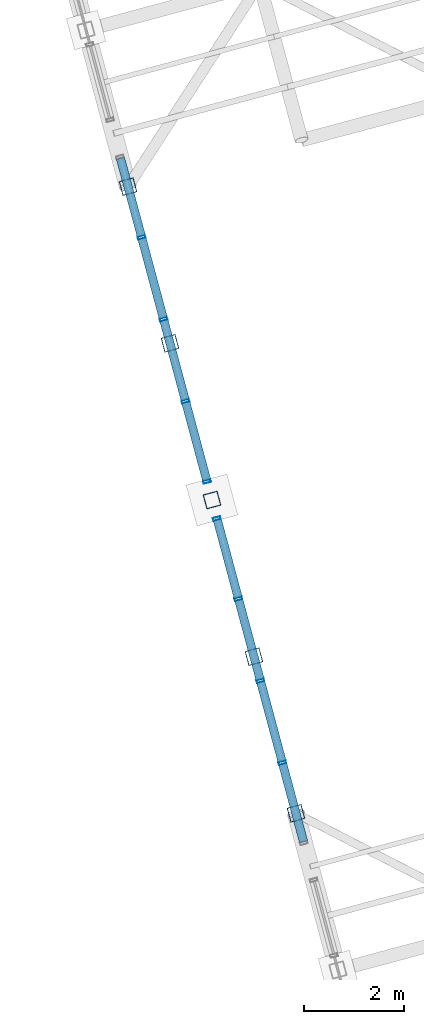
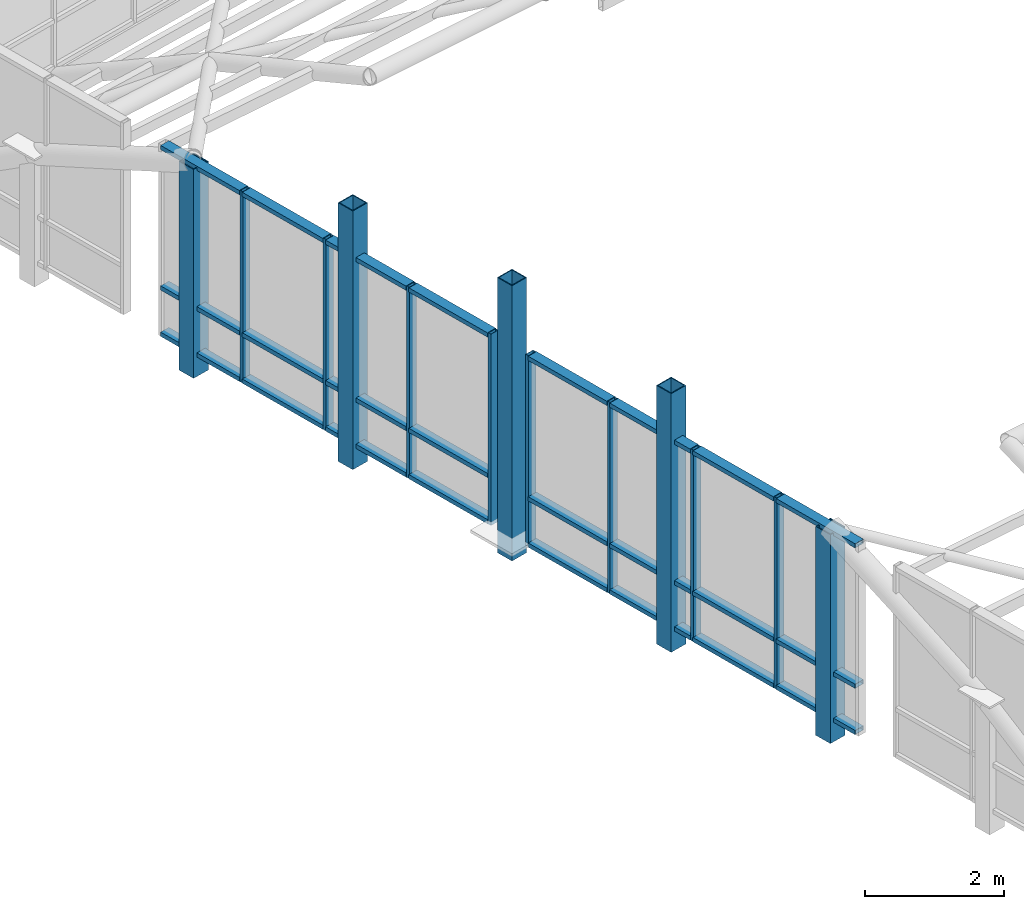
# One storey, part 7 of 29: 37 members, 2 elements without a shape of their own.
"""IFC4 building model written with IfcOpenShell, lengths in metres."""

from ifc_helpers import new_model, si_unit, direction, frame, origin, origin_2d, place, context, subcontext, project, spatial, hollow_rectangle, extrude, material, layer, layer_set, material_profile, profile_set, type_object, element, aggregate, save


model = new_model("IFC4")

# Units and contexts
model_context = context("Model", 3, precision=1e-05, world=origin(), true_north=direction((0.0, 1.0)))
body_context = subcontext(model_context, "Body", "Model", "MODEL_VIEW")
ifc_project = project(units=[si_unit("LENGTHUNIT", "METRE"), si_unit("AREAUNIT", "SQUARE_METRE"), si_unit("VOLUMEUNIT", "CUBIC_METRE"), si_unit("PLANEANGLEUNIT", "RADIAN"), si_unit("MASSUNIT", "GRAM", prefix="KILO")], contexts=[model_context])

# Site, building, storey
site_placement = place(None, origin())
site = spatial("IfcSite", under=ifc_project, at=site_placement, CompositionType="ELEMENT")
building_placement = place(site_placement, origin())
building = spatial("IfcBuilding", under=site, at=building_placement, Name="Ventoquebrada Cableway Terminal", CompositionType="ELEMENT")
storey_placement = place(building_placement, frame((0.0, 0.0, 18.89990234375)))
storey = spatial("IfcBuildingStorey", under=building, at=storey_placement, Name="L04", CompositionType="ELEMENT", Elevation=18.89990234375)

# Curtain wall, members
ifc_material_1 = material(Name="Anodized thermally-broken aluminium", Category="aluminium")
ifc_layer = layer(ifc_material_1, 0.159912109375)
ifc_layer_set = layer_set([ifc_layer], Name="Anodized thermally-broken aluminium")
curtain_wall_type = type_object("IfcCurtainWallType", Name="CW-T47", PredefinedType="USERDEFINED", material=ifc_layer_set)
curtain_wall_1_placement = place(storey_placement, origin())
curtain_wall_1 = element("IfcCurtainWall", 1, at=curtain_wall_1_placement, inside=storey, type_object=curtain_wall_type, Name="Unitised glazed curtain wall CW-144", ObjectType="UNITISED CURTAIN WALL", PredefinedType="USERDEFINED")
ifc_material_profile_1 = material_profile(ifc_material_1, hollow_rectangle(XDim=0.06005859375, YDim=0.14990234375, WallThickness=0.00390625, at=origin_2d()), Name="CW-MUL-60X150")
ifc_profile_set_1 = profile_set([ifc_material_profile_1], Name="Anodized thermally-broken aluminium")
member_type_1 = type_object("IfcMemberType", Name="CWM-03", PredefinedType="MULLION", material=ifc_profile_set_1)
member_1_placement = place(storey_placement, frame((48.712890625, 81.968994140625, 1.087158203125), z_axis=(0.0, 0.0, 1.0), x_axis=(0.258835903649, -0.965921308897, 0.0)))
member_1 = element("IfcMember", 2, at=member_1_placement, type_object=member_type_1, Name="Curtain wall mullion FML-0700", PredefinedType="MULLION", context=body_context, shape_type="SweptSolid", body=[
    extrude(hollow_rectangle(XDim=0.06005859375, YDim=0.14990234375, WallThickness=0.00390625, at=origin_2d()), origin(), (0.0, 0.0, 1.0), 3.373046875),
])
member_2_placement = place(storey_placement, frame((49.14404296875, 80.361083984375, 1.087158203125), z_axis=(0.0, 0.0, 1.0), x_axis=(0.258835903649, -0.965921308897, 0.0)))
member_2 = element("IfcMember", 3, at=member_2_placement, type_object=member_type_1, Name="Curtain wall mullion FML-0701", PredefinedType="MULLION", context=body_context, shape_type="SweptSolid", body=[
    extrude(hollow_rectangle(XDim=0.06005859375, YDim=0.14990234375, WallThickness=0.00390625, at=origin_2d()), origin(), (0.0, 0.0, 1.0), 3.373046875),
])
member_3_placement = place(storey_placement, frame((49.583984375, 78.718994140625, 1.087158203125), z_axis=(0.0, 0.0, 1.0), x_axis=(0.258835903649, -0.965921308897, 0.0)))
member_3 = element("IfcMember", 4, at=member_3_placement, type_object=member_type_1, Name="Curtain wall mullion FML-0702", PredefinedType="MULLION", context=body_context, shape_type="SweptSolid", body=[
    extrude(hollow_rectangle(XDim=0.06005859375, YDim=0.14990234375, WallThickness=0.00390625, at=origin_2d()), origin(), (0.0, 0.0, 1.0), 3.373046875),
])
member_4_placement = place(storey_placement, frame((50.02392578125, 77.076904296875, 1.087158203125), z_axis=(0.0, 0.0, 1.0), x_axis=(0.258835903649, -0.965921308897, 0.0)))
member_4 = element("IfcMember", 5, at=member_4_placement, type_object=member_type_1, Name="Curtain wall mullion FML-0703", PredefinedType="MULLION", context=body_context, shape_type="SweptSolid", body=[
    extrude(hollow_rectangle(XDim=0.06005859375, YDim=0.14990234375, WallThickness=0.00390625, at=origin_2d()), origin(), (0.0, 0.0, 1.0), 3.373046875),
])

curtain_wall_2_placement = place(storey_placement, origin())
curtain_wall_2 = element("IfcCurtainWall", 6, at=curtain_wall_2_placement, inside=storey, type_object=curtain_wall_type, Name="Unitised glazed curtain wall CW-145", ObjectType="UNITISED CURTAIN WALL", PredefinedType="USERDEFINED")
member_5_placement = place(storey_placement, frame((47.202880859375, 87.60595703125, 1.087158203125), z_axis=(0.0, 0.0, 1.0), x_axis=(0.258802186477, -0.965930343386, 0.0)))
member_5 = element("IfcMember", 7, at=member_5_placement, type_object=member_type_1, Name="Curtain wall mullion FML-0706", PredefinedType="MULLION", context=body_context, shape_type="SweptSolid", body=[
    extrude(hollow_rectangle(XDim=0.06005859375, YDim=0.14990234375, WallThickness=0.00390625, at=origin_2d()), origin(), (0.0, 0.0, 1.0), 3.373046875),
])
member_6_placement = place(storey_placement, frame((47.64306640625, 85.964111328125, 1.087158203125), z_axis=(0.0, 0.0, 1.0), x_axis=(0.258802186477, -0.965930343386, 0.0)))
member_6 = element("IfcMember", 8, at=member_6_placement, type_object=member_type_1, Name="Curtain wall mullion FML-0707", PredefinedType="MULLION", context=body_context, shape_type="SweptSolid", body=[
    extrude(hollow_rectangle(XDim=0.06005859375, YDim=0.14990234375, WallThickness=0.00390625, at=origin_2d()), origin(), (0.0, 0.0, 1.0), 3.373046875),
])
member_7_placement = place(storey_placement, frame((48.0830078125, 84.321044921875, 1.087158203125), z_axis=(0.0, 0.0, 1.0), x_axis=(0.258802186477, -0.965930343386, 0.0)))
member_7 = element("IfcMember", 9, at=member_7_placement, type_object=member_type_1, Name="Curtain wall mullion FML-0708", PredefinedType="MULLION", context=body_context, shape_type="SweptSolid", body=[
    extrude(hollow_rectangle(XDim=0.06005859375, YDim=0.14990234375, WallThickness=0.00390625, at=origin_2d()), origin(), (0.0, 0.0, 1.0), 3.373046875),
])
member_8_placement = place(storey_placement, frame((48.513916015625, 82.712890625, 1.087158203125), z_axis=(0.0, 0.0, 1.0), x_axis=(0.258802186477, -0.965930343386, 0.0)))
member_8 = element("IfcMember", 10, at=member_8_placement, type_object=member_type_1, Name="Curtain wall mullion FML-0709", PredefinedType="MULLION", context=body_context, shape_type="SweptSolid", body=[
    extrude(hollow_rectangle(XDim=0.06005859375, YDim=0.14990234375, WallThickness=0.00390625, at=origin_2d()), origin(), (0.0, 0.0, 1.0), 3.373046875),
])

# Member
ifc_material_profile_2 = material_profile(ifc_material_1, hollow_rectangle(XDim=0.074951171875, YDim=0.169921875, WallThickness=0.00439453125, at=origin_2d()), Name="CW-TRN-75X170")
ifc_profile_set_2 = profile_set([ifc_material_profile_2], Name="Anodized thermally-broken aluminium")
member_type_2 = type_object("IfcMemberType", Name="CWT-03", PredefinedType="USERDEFINED", material=ifc_profile_set_2)
member_9_placement = place(storey_placement, frame((48.719970703125, 81.945068359375, 1.130126953125), z_axis=(0.258791494835, -0.96593320794, 0.0), x_axis=(0.0, 0.0, 1.0)))
member_9 = element("IfcMember", 11, at=member_9_placement, type_object=member_type_2, Name="Curtain wall transom FTR-2049", ObjectType="TRANSOM", PredefinedType="USERDEFINED", context=body_context, shape_type="SweptSolid", body=[
    extrude(hollow_rectangle(XDim=0.074951171875, YDim=0.169921875, WallThickness=0.00439453125, at=origin_2d()), origin(), (0.0, 0.0, 1.0), 1.614990234375),
])

member_10_placement = place(storey_placement, frame((48.719970703125, 81.945068359375, 1.945068359375), z_axis=(0.258791494835, -0.96593320794, 0.0), x_axis=(0.0, 0.0, 1.0)))
member_10 = element("IfcMember", 12, at=member_10_placement, type_object=member_type_2, Name="Curtain wall transom FTR-2050", ObjectType="TRANSOM", PredefinedType="USERDEFINED", context=body_context, shape_type="SweptSolid", body=[
    extrude(hollow_rectangle(XDim=0.074951171875, YDim=0.169921875, WallThickness=0.00439453125, at=origin_2d()), origin(), (0.0, 0.0, 1.0), 1.614990234375),
])

member_11_placement = place(storey_placement, frame((48.719970703125, 81.945068359375, 4.420166015625), z_axis=(0.258791494835, -0.96593320794, 0.0), x_axis=(0.0, 0.0, 1.0)))
member_11 = element("IfcMember", 13, at=member_11_placement, type_object=member_type_2, Name="Curtain wall transom FTR-2051", ObjectType="TRANSOM", PredefinedType="USERDEFINED", context=body_context, shape_type="SweptSolid", body=[
    extrude(hollow_rectangle(XDim=0.074951171875, YDim=0.169921875, WallThickness=0.00439453125, at=origin_2d()), origin(), (0.0, 0.0, 1.0), 1.614990234375),
])

member_12_placement = place(storey_placement, frame((49.14990234375, 80.3369140625, 1.130126953125), z_axis=(0.259310305754, -0.965794059481, 0.0), x_axis=(0.0, 0.0, 1.0)))
member_12 = element("IfcMember", 14, at=member_12_placement, type_object=member_type_2, Name="Curtain wall transom FTR-2052", ObjectType="TRANSOM", PredefinedType="USERDEFINED", context=body_context, shape_type="SweptSolid", body=[
    extrude(hollow_rectangle(XDim=0.074951171875, YDim=0.169921875, WallThickness=0.00439453125, at=origin_2d()), origin(), (0.0, 0.0, 1.0), 1.650390625),
])

member_13_placement = place(storey_placement, frame((49.14990234375, 80.3369140625, 1.945068359375), z_axis=(0.259310305754, -0.965794059481, 0.0), x_axis=(0.0, 0.0, 1.0)))
member_13 = element("IfcMember", 15, at=member_13_placement, type_object=member_type_2, Name="Curtain wall transom FTR-2053", ObjectType="TRANSOM", PredefinedType="USERDEFINED", context=body_context, shape_type="SweptSolid", body=[
    extrude(hollow_rectangle(XDim=0.074951171875, YDim=0.169921875, WallThickness=0.00439453125, at=origin_2d()), origin(), (0.0, 0.0, 1.0), 1.650390625),
])

member_14_placement = place(storey_placement, frame((49.14990234375, 80.3369140625, 4.420166015625), z_axis=(0.259310305754, -0.965794059481, 0.0), x_axis=(0.0, 0.0, 1.0)))
member_14 = element("IfcMember", 16, at=member_14_placement, type_object=member_type_2, Name="Curtain wall transom FTR-2054", ObjectType="TRANSOM", PredefinedType="USERDEFINED", context=body_context, shape_type="SweptSolid", body=[
    extrude(hollow_rectangle(XDim=0.074951171875, YDim=0.169921875, WallThickness=0.00439453125, at=origin_2d()), origin(), (0.0, 0.0, 1.0), 1.650390625),
])

member_15_placement = place(storey_placement, frame((49.590087890625, 78.695068359375, 1.130126953125), z_axis=(0.259310305754, -0.965794059481, 0.0), x_axis=(0.0, 0.0, 1.0)))
member_15 = element("IfcMember", 17, at=member_15_placement, type_object=member_type_2, Name="Curtain wall transom FTR-2055", ObjectType="TRANSOM", PredefinedType="USERDEFINED", context=body_context, shape_type="SweptSolid", body=[
    extrude(hollow_rectangle(XDim=0.074951171875, YDim=0.169921875, WallThickness=0.00439453125, at=origin_2d()), origin(), (0.0, 0.0, 1.0), 1.650390625),
])

member_16_placement = place(storey_placement, frame((49.590087890625, 78.695068359375, 1.945068359375), z_axis=(0.259310305754, -0.965794059481, 0.0), x_axis=(0.0, 0.0, 1.0)))
member_16 = element("IfcMember", 18, at=member_16_placement, type_object=member_type_2, Name="Curtain wall transom FTR-2056", ObjectType="TRANSOM", PredefinedType="USERDEFINED", context=body_context, shape_type="SweptSolid", body=[
    extrude(hollow_rectangle(XDim=0.074951171875, YDim=0.169921875, WallThickness=0.00439453125, at=origin_2d()), origin(), (0.0, 0.0, 1.0), 1.650390625),
])

member_17_placement = place(storey_placement, frame((49.590087890625, 78.695068359375, 4.420166015625), z_axis=(0.259310305754, -0.965794059481, 0.0), x_axis=(0.0, 0.0, 1.0)))
member_17 = element("IfcMember", 19, at=member_17_placement, type_object=member_type_2, Name="Curtain wall transom FTR-2057", ObjectType="TRANSOM", PredefinedType="USERDEFINED", context=body_context, shape_type="SweptSolid", body=[
    extrude(hollow_rectangle(XDim=0.074951171875, YDim=0.169921875, WallThickness=0.00439453125, at=origin_2d()), origin(), (0.0, 0.0, 1.0), 1.650390625),
])

member_18_placement = place(storey_placement, frame((50.030029296875, 77.052978515625, 1.130126953125), z_axis=(0.258791494835, -0.96593320794, 0.0), x_axis=(0.0, 0.0, 1.0)))
member_18 = element("IfcMember", 20, at=member_18_placement, type_object=member_type_2, Name="Curtain wall transom FTR-2058", ObjectType="TRANSOM", PredefinedType="USERDEFINED", context=body_context, shape_type="SweptSolid", body=[
    extrude(hollow_rectangle(XDim=0.074951171875, YDim=0.169921875, WallThickness=0.00439453125, at=origin_2d()), origin(), (0.0, 0.0, 1.0), 1.614990234375),
])

member_19_placement = place(storey_placement, frame((50.030029296875, 77.052978515625, 1.945068359375), z_axis=(0.258791494835, -0.96593320794, 0.0), x_axis=(0.0, 0.0, 1.0)))
member_19 = element("IfcMember", 21, at=member_19_placement, type_object=member_type_2, Name="Curtain wall transom FTR-2059", ObjectType="TRANSOM", PredefinedType="USERDEFINED", context=body_context, shape_type="SweptSolid", body=[
    extrude(hollow_rectangle(XDim=0.074951171875, YDim=0.169921875, WallThickness=0.00439453125, at=origin_2d()), origin(), (0.0, 0.0, 1.0), 1.614990234375),
])

member_20_placement = place(storey_placement, frame((50.030029296875, 77.052978515625, 4.420166015625), z_axis=(0.258791494835, -0.96593320794, 0.0), x_axis=(0.0, 0.0, 1.0)))
member_20 = element("IfcMember", 22, at=member_20_placement, type_object=member_type_2, Name="Curtain wall transom FTR-2060", ObjectType="TRANSOM", PredefinedType="USERDEFINED", context=body_context, shape_type="SweptSolid", body=[
    extrude(hollow_rectangle(XDim=0.074951171875, YDim=0.169921875, WallThickness=0.00439453125, at=origin_2d()), origin(), (0.0, 0.0, 1.0), 1.614990234375),
])

aggregate(curtain_wall_1, [member_1, member_2, member_3, member_4, member_9, member_10, member_11, member_12, member_13, member_14, member_15, member_16, member_17, member_18, member_19, member_20])

member_21_placement = place(storey_placement, frame((46.779052734375, 89.18994140625, 1.130126953125), z_axis=(0.258791494835, -0.96593320794, 0.0), x_axis=(0.0, 0.0, 1.0)))
member_21 = element("IfcMember", 23, at=member_21_placement, type_object=member_type_2, Name="Curtain wall transom FTR-2061", ObjectType="TRANSOM", PredefinedType="USERDEFINED", context=body_context, shape_type="SweptSolid", body=[
    extrude(hollow_rectangle(XDim=0.074951171875, YDim=0.169921875, WallThickness=0.00439453125, at=origin_2d()), origin(), (0.0, 0.0, 1.0), 1.614990234375),
])

member_22_placement = place(storey_placement, frame((46.779052734375, 89.18994140625, 1.945068359375), z_axis=(0.258791494835, -0.96593320794, 0.0), x_axis=(0.0, 0.0, 1.0)))
member_22 = element("IfcMember", 24, at=member_22_placement, type_object=member_type_2, Name="Curtain wall transom FTR-2062", ObjectType="TRANSOM", PredefinedType="USERDEFINED", context=body_context, shape_type="SweptSolid", body=[
    extrude(hollow_rectangle(XDim=0.074951171875, YDim=0.169921875, WallThickness=0.00439453125, at=origin_2d()), origin(), (0.0, 0.0, 1.0), 1.614990234375),
])

member_23_placement = place(storey_placement, frame((46.779052734375, 89.18994140625, 4.420166015625), z_axis=(0.258791494835, -0.96593320794, 0.0), x_axis=(0.0, 0.0, 1.0)))
member_23 = element("IfcMember", 25, at=member_23_placement, type_object=member_type_2, Name="Curtain wall transom FTR-2063", ObjectType="TRANSOM", PredefinedType="USERDEFINED", context=body_context, shape_type="SweptSolid", body=[
    extrude(hollow_rectangle(XDim=0.074951171875, YDim=0.169921875, WallThickness=0.00439453125, at=origin_2d()), origin(), (0.0, 0.0, 1.0), 1.614990234375),
])

member_24_placement = place(storey_placement, frame((47.208984375, 87.58203125, 1.130126953125), z_axis=(0.259310305754, -0.965794059481, 0.0), x_axis=(0.0, 0.0, 1.0)))
member_24 = element("IfcMember", 26, at=member_24_placement, type_object=member_type_2, Name="Curtain wall transom FTR-2064", ObjectType="TRANSOM", PredefinedType="USERDEFINED", context=body_context, shape_type="SweptSolid", body=[
    extrude(hollow_rectangle(XDim=0.074951171875, YDim=0.169921875, WallThickness=0.00439453125, at=origin_2d()), origin(), (0.0, 0.0, 1.0), 1.650390625),
])

member_25_placement = place(storey_placement, frame((47.208984375, 87.58203125, 1.945068359375), z_axis=(0.259310305754, -0.965794059481, 0.0), x_axis=(0.0, 0.0, 1.0)))
member_25 = element("IfcMember", 27, at=member_25_placement, type_object=member_type_2, Name="Curtain wall transom FTR-2065", ObjectType="TRANSOM", PredefinedType="USERDEFINED", context=body_context, shape_type="SweptSolid", body=[
    extrude(hollow_rectangle(XDim=0.074951171875, YDim=0.169921875, WallThickness=0.00439453125, at=origin_2d()), origin(), (0.0, 0.0, 1.0), 1.650390625),
])

member_26_placement = place(storey_placement, frame((47.208984375, 87.58203125, 4.420166015625), z_axis=(0.259310305754, -0.965794059481, 0.0), x_axis=(0.0, 0.0, 1.0)))
member_26 = element("IfcMember", 28, at=member_26_placement, type_object=member_type_2, Name="Curtain wall transom FTR-2066", ObjectType="TRANSOM", PredefinedType="USERDEFINED", context=body_context, shape_type="SweptSolid", body=[
    extrude(hollow_rectangle(XDim=0.074951171875, YDim=0.169921875, WallThickness=0.00439453125, at=origin_2d()), origin(), (0.0, 0.0, 1.0), 1.650390625),
])

member_27_placement = place(storey_placement, frame((47.64892578125, 85.93896484375, 1.130126953125), z_axis=(0.259310305754, -0.965794059481, 0.0), x_axis=(0.0, 0.0, 1.0)))
member_27 = element("IfcMember", 29, at=member_27_placement, type_object=member_type_2, Name="Curtain wall transom FTR-2067", ObjectType="TRANSOM", PredefinedType="USERDEFINED", context=body_context, shape_type="SweptSolid", body=[
    extrude(hollow_rectangle(XDim=0.074951171875, YDim=0.169921875, WallThickness=0.00439453125, at=origin_2d()), origin(), (0.0, 0.0, 1.0), 1.650390625),
])

member_28_placement = place(storey_placement, frame((47.64892578125, 85.93896484375, 1.945068359375), z_axis=(0.259310305754, -0.965794059481, 0.0), x_axis=(0.0, 0.0, 1.0)))
member_28 = element("IfcMember", 30, at=member_28_placement, type_object=member_type_2, Name="Curtain wall transom FTR-2068", ObjectType="TRANSOM", PredefinedType="USERDEFINED", context=body_context, shape_type="SweptSolid", body=[
    extrude(hollow_rectangle(XDim=0.074951171875, YDim=0.169921875, WallThickness=0.00439453125, at=origin_2d()), origin(), (0.0, 0.0, 1.0), 1.650390625),
])

member_29_placement = place(storey_placement, frame((47.64892578125, 85.93896484375, 4.420166015625), z_axis=(0.259310305754, -0.965794059481, 0.0), x_axis=(0.0, 0.0, 1.0)))
member_29 = element("IfcMember", 31, at=member_29_placement, type_object=member_type_2, Name="Curtain wall transom FTR-2069", ObjectType="TRANSOM", PredefinedType="USERDEFINED", context=body_context, shape_type="SweptSolid", body=[
    extrude(hollow_rectangle(XDim=0.074951171875, YDim=0.169921875, WallThickness=0.00439453125, at=origin_2d()), origin(), (0.0, 0.0, 1.0), 1.650390625),
])

member_30_placement = place(storey_placement, frame((48.089111328125, 84.297119140625, 1.130126953125), z_axis=(0.258791494835, -0.96593320794, 0.0), x_axis=(0.0, 0.0, 1.0)))
member_30 = element("IfcMember", 32, at=member_30_placement, type_object=member_type_2, Name="Curtain wall transom FTR-2070", ObjectType="TRANSOM", PredefinedType="USERDEFINED", context=body_context, shape_type="SweptSolid", body=[
    extrude(hollow_rectangle(XDim=0.074951171875, YDim=0.169921875, WallThickness=0.00439453125, at=origin_2d()), origin(), (0.0, 0.0, 1.0), 1.614990234375),
])

member_31_placement = place(storey_placement, frame((48.089111328125, 84.297119140625, 1.945068359375), z_axis=(0.258791494835, -0.96593320794, 0.0), x_axis=(0.0, 0.0, 1.0)))
member_31 = element("IfcMember", 33, at=member_31_placement, type_object=member_type_2, Name="Curtain wall transom FTR-2071", ObjectType="TRANSOM", PredefinedType="USERDEFINED", context=body_context, shape_type="SweptSolid", body=[
    extrude(hollow_rectangle(XDim=0.074951171875, YDim=0.169921875, WallThickness=0.00439453125, at=origin_2d()), origin(), (0.0, 0.0, 1.0), 1.614990234375),
])

member_32_placement = place(storey_placement, frame((48.089111328125, 84.297119140625, 4.420166015625), z_axis=(0.258791494835, -0.96593320794, 0.0), x_axis=(0.0, 0.0, 1.0)))
member_32 = element("IfcMember", 34, at=member_32_placement, type_object=member_type_2, Name="Curtain wall transom FTR-2072", ObjectType="TRANSOM", PredefinedType="USERDEFINED", context=body_context, shape_type="SweptSolid", body=[
    extrude(hollow_rectangle(XDim=0.074951171875, YDim=0.169921875, WallThickness=0.00439453125, at=origin_2d()), origin(), (0.0, 0.0, 1.0), 1.614990234375),
])

aggregate(curtain_wall_2, [member_5, member_6, member_7, member_8, member_21, member_22, member_23, member_24, member_25, member_26, member_27, member_28, member_29, member_30, member_31, member_32])

# Members
ifc_material_2 = material(Name="Steel ASTM A500 Grade C", Category="steel")
ifc_material_profile_3 = material_profile(ifc_material_2, hollow_rectangle(XDim=0.300048828125, YDim=0.300048828125, WallThickness=0.01611328125, at=origin_2d()), Name="HSS300X300X16")
ifc_profile_set_3 = profile_set([ifc_material_profile_3], Name="Steel ASTM A500 Grade C")
member_type_3 = type_object("IfcMemberType", Name="STR-VS01", PredefinedType="STRUT", material=ifc_profile_set_3)
member_33_placement = place(storey_placement, frame((50.2958984375, 76.06298828125, 0.75), z_axis=(0.0, 0.0, 1.0), x_axis=(0.965925826289, 0.258819045103, 0.0)))
element("IfcMember", 35, at=member_33_placement, inside=storey, type_object=member_type_3, Name="Saddle gridshell portal strut GS-ST-0002", PredefinedType="STRUT", context=body_context, shape_type="SweptSolid", body=[
    extrude(hollow_rectangle(XDim=0.300048828125, YDim=0.300048828125, WallThickness=0.01611328125, at=origin_2d()), origin(), (0.0, 0.0, 1.0), 3.68017578125),
])
member_34_placement = place(storey_placement, frame((49.4541015625, 79.201904296875, 0.75), z_axis=(0.0, 0.0, 1.0), x_axis=(0.965925826289, 0.258819045103, 0.0)))
element("IfcMember", 36, at=member_34_placement, inside=storey, type_object=member_type_3, Name="Saddle gridshell portal strut GS-ST-0003", PredefinedType="STRUT", context=body_context, shape_type="SweptSolid", body=[
    extrude(hollow_rectangle(XDim=0.300048828125, YDim=0.300048828125, WallThickness=0.01611328125, at=origin_2d()), origin(), (0.0, 0.0, 1.0), 4.55712890625),
])
member_35_placement = place(storey_placement, frame((48.613037109375, 82.341064453125, 0.75), z_axis=(0.0, 0.0, 1.0), x_axis=(0.965925826289, 0.258819045103, 0.0)))
element("IfcMember", 37, at=member_35_placement, inside=storey, type_object=member_type_3, Name="Saddle gridshell portal strut GS-ST-0004", PredefinedType="STRUT", context=body_context, shape_type="SweptSolid", body=[
    extrude(hollow_rectangle(XDim=0.300048828125, YDim=0.300048828125, WallThickness=0.01611328125, at=origin_2d()), origin(), (0.0, 0.0, 1.0), 4.85009765625),
])
member_36_placement = place(storey_placement, frame((47.77197265625, 85.48095703125, 0.75), z_axis=(0.0, 0.0, 1.0), x_axis=(0.965925826289, 0.258819045103, 0.0)))
element("IfcMember", 38, at=member_36_placement, inside=storey, type_object=member_type_3, Name="Saddle gridshell portal strut GS-ST-0005", PredefinedType="STRUT", context=body_context, shape_type="SweptSolid", body=[
    extrude(hollow_rectangle(XDim=0.300048828125, YDim=0.300048828125, WallThickness=0.01611328125, at=origin_2d()), origin(), (0.0, 0.0, 1.0), 4.55712890625),
])
member_37_placement = place(storey_placement, frame((46.930908203125, 88.6201171875, 0.75), z_axis=(0.0, 0.0, 1.0), x_axis=(0.965925826289, 0.258819045103, 0.0)))
element("IfcMember", 39, at=member_37_placement, inside=storey, type_object=member_type_3, Name="Saddle gridshell portal strut GS-ST-0006", PredefinedType="STRUT", context=body_context, shape_type="SweptSolid", body=[
    extrude(hollow_rectangle(XDim=0.300048828125, YDim=0.300048828125, WallThickness=0.01611328125, at=origin_2d()), origin(), (0.0, 0.0, 1.0), 3.68017578125),
])

save(model, "model.ifc")
